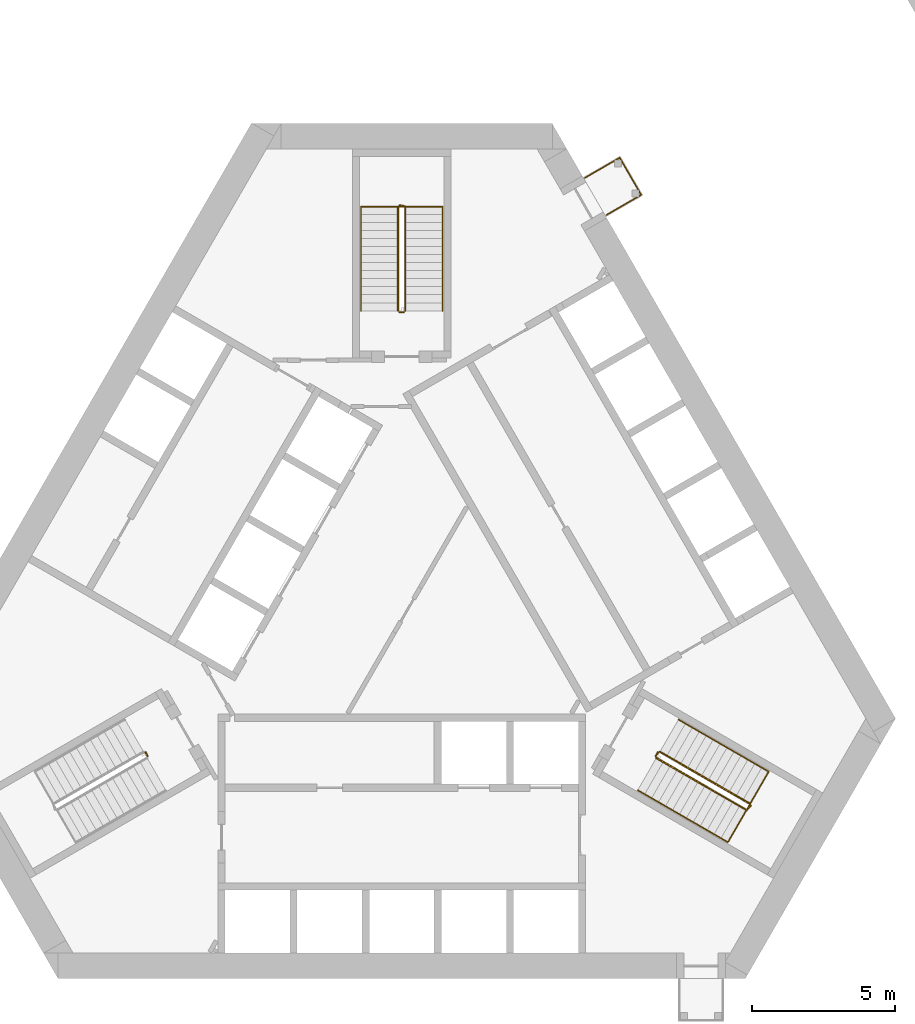
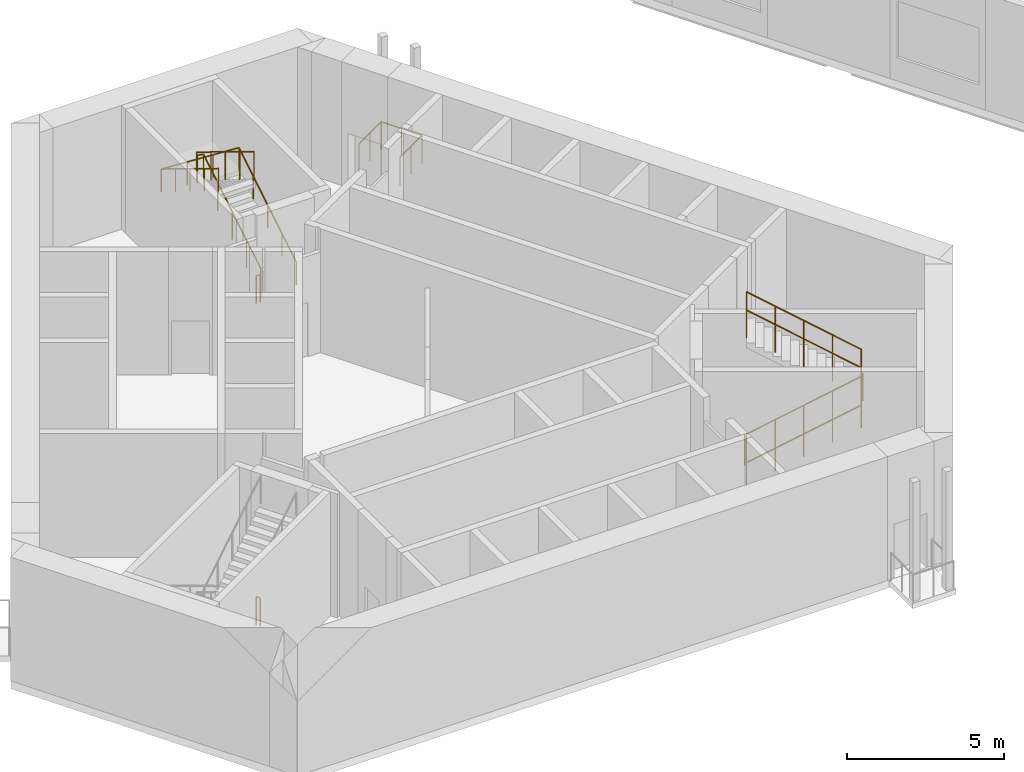
# One storey, part 23 of 28: 10 railings.
"""IFC4 building model written with IfcOpenShell, lengths in metres."""

from ifc_helpers import new_model, si_unit, direction, frame, origin, origin_2d, place, context, subcontext, project, spatial, circle, extrude, material, type_object, element, save


model = new_model("IFC4")

# Units and contexts
model_context = context("Model", 3, precision=1e-05, world=origin(), true_north=direction((0.0, 1.0)))
body_context = subcontext(model_context, "Body", "Model", "MODEL_VIEW")
ifc_project = project(units=[si_unit("LENGTHUNIT", "METRE"), si_unit("AREAUNIT", "SQUARE_METRE"), si_unit("VOLUMEUNIT", "CUBIC_METRE"), si_unit("PLANEANGLEUNIT", "RADIAN"), si_unit("MASSUNIT", "GRAM", prefix="KILO")], contexts=[model_context])

# Site, building, storey
site_placement = place(None, origin())
site = spatial("IfcSite", under=ifc_project, at=site_placement, CompositionType="ELEMENT")
building_placement = place(site_placement, origin())
building = spatial("IfcBuilding", under=site, at=building_placement, Name="Mestral Congress Tower", CompositionType="ELEMENT")
storey_placement = place(building_placement, frame((0.0, 0.0, 11.39990234375)))
storey = spatial("IfcBuildingStorey", under=building, at=storey_placement, Name="L02", CompositionType="ELEMENT", Elevation=11.39990234375)

# Railings
ifc_material_1 = material(Name="Steel balustrade", Category="steel")
railing_type_1 = type_object("IfcRailingType", Name="Podium door landing guard 1100", PredefinedType="GUARDRAIL", material=ifc_material_1)
railing_1_placement = place(storey_placement, frame((7.158935546875, 13.700439453125, 0.0)))
element("IfcRailing", 1, at=railing_1_placement, inside=storey, type_object=railing_type_1, Name="Door landing guard", PredefinedType="GUARDRAIL", context=body_context, shape_type="SweptSolid", body=[
    extrude(circle(Radius=0.02392578125, at=origin_2d()), frame((0.0, 0.0, 1.076171875), z_axis=(0.866034573852, 0.49998411664, 0.0), x_axis=(-0.49998411664, 0.866034573852, 0.0)), (0.0, 0.0, 1.0), 1.39990234375),
    extrude(circle(Radius=0.02392578125, at=origin_2d()), frame((1.21240234375, 0.699951171875, 1.076171875), z_axis=(-0.499990139034, 0.866031096941, 0.0), x_axis=(-0.866031096941, -0.499990139034, 0.0)), (0.0, 0.0, 1.0), 1.5),
    extrude(circle(Radius=0.02392578125, at=origin_2d()), frame((0.46240234375, 1.9990234375, 1.076171875), z_axis=(-0.866034573852, -0.49998411664, 0.0), x_axis=(0.49998411664, -0.866034573852, 0.0)), (0.0, 0.0, 1.0), 1.39990234375),
    extrude(circle(Radius=0.02099609375, at=origin_2d()), origin(), (0.0, 0.0, 1.0), 1.052001953125),
    extrude(circle(Radius=0.02099609375, at=origin_2d()), frame((0.606201171875, 0.35009765625, 0.0)), (0.0, 0.0, 1.0), 1.052001953125),
    extrude(circle(Radius=0.02099609375, at=origin_2d()), frame((1.21240234375, 0.699951171875, 0.0)), (0.0, 0.0, 1.0), 1.052001953125),
    extrude(circle(Radius=0.02099609375, at=origin_2d()), frame((0.83740234375, 1.349609375, 0.0)), (0.0, 0.0, 1.0), 1.052001953125),
    extrude(circle(Radius=0.02099609375, at=origin_2d()), frame((0.46240234375, 1.9990234375, 0.0)), (0.0, 0.0, 1.0), 1.052001953125),
    extrude(circle(Radius=0.02099609375, at=origin_2d()), frame((-0.143798828125, 1.64892578125, 0.0)), (0.0, 0.0, 1.0), 1.052001953125),
    extrude(circle(Radius=0.02099609375, at=origin_2d()), frame((-0.75, 1.299072265625, 0.0)), (0.0, 0.0, 1.0), 1.052001953125),
])
railing_type_2 = type_object("IfcRailingType", Name="Stair guard 1100", PredefinedType="GUARDRAIL", material=ifc_material_1)
railing_2_placement = place(storey_placement, frame((8.90087890625, -5.283203125, 0.171630859375)))
element("IfcRailing", 2, at=railing_2_placement, inside=storey, type_object=railing_type_2, Name="L02 ST1 stair guard 1", PredefinedType="GUARDRAIL", context=body_context, shape_type="SweptSolid", body=[
    extrude(circle(Radius=0.02392578125, at=origin_2d()), frame((0.0, 0.0, 1.076171875), z_axis=(0.738592093898, -0.426440834883, 0.522139764025), x_axis=(0.500012742938, 0.866018046521, 0.0)), (0.0, 0.0, 1.0), 4.26806640625),
    extrude(circle(Radius=0.02392578125, at=origin_2d()), frame((3.15234375, -1.820068359375, 3.3046875), z_axis=(0.695164929852, 0.718850276695, 0.0), x_axis=(-0.718850276695, 0.695164929852, 0.0)), (0.0, 0.0, 1.0), 0.2060546875),
    extrude(circle(Radius=0.02099609375, at=origin_2d()), origin(), (0.0, 0.0, 1.0), 1.052001953125),
    extrude(circle(Radius=0.02099609375, at=origin_2d()), frame((0.7880859375, -0.455078125, 0.55712890625)), (0.0, 0.0, 1.0), 1.052001953125),
    extrude(circle(Radius=0.02099609375, at=origin_2d()), frame((1.576171875, -0.91015625, 1.1142578125)), (0.0, 0.0, 1.0), 1.052001953125),
    extrude(circle(Radius=0.02099609375, at=origin_2d()), frame((2.3642578125, -1.364990234375, 1.67138671875)), (0.0, 0.0, 1.0), 1.052001953125),
    extrude(circle(Radius=0.02099609375, at=origin_2d()), frame((3.15234375, -1.820068359375, 2.228515625)), (0.0, 0.0, 1.0), 1.052001953125),
    extrude(circle(Radius=0.02099609375, at=origin_2d()), frame((3.295654296875, -1.671875, 2.228515625)), (0.0, 0.0, 1.0), 1.052001953125),
])
railing_3_placement = place(storey_placement, frame((12.17822265625, -6.88671875, 2.571533203125)))
element("IfcRailing", 3, at=railing_3_placement, inside=storey, type_object=railing_type_2, Name="L02 ST1 stair guard 2", PredefinedType="GUARDRAIL", context=body_context, shape_type="SweptSolid", body=[
    extrude(circle(Radius=0.02392578125, at=origin_2d()), frame((0.0, 0.0, 1.076171875), z_axis=(-0.738592093898, 0.426440834883, 0.522139764025), x_axis=(-0.500012742938, -0.866018046521, 0.0)), (0.0, 0.0, 1.0), 4.26806640625),
    extrude(circle(Radius=0.02099609375, at=origin_2d()), origin(), (0.0, 0.0, 1.0), 1.052001953125),
    extrude(circle(Radius=0.02099609375, at=origin_2d()), frame((-0.7880859375, 0.455078125, 0.55712890625)), (0.0, 0.0, 1.0), 1.052001953125),
    extrude(circle(Radius=0.02099609375, at=origin_2d()), frame((-1.576171875, 0.91015625, 1.1142578125)), (0.0, 0.0, 1.0), 1.052001953125),
    extrude(circle(Radius=0.02099609375, at=origin_2d()), frame((-2.3642578125, 1.364990234375, 1.67138671875)), (0.0, 0.0, 1.0), 1.052001953125),
    extrude(circle(Radius=0.02099609375, at=origin_2d()), frame((-3.15234375, 1.820068359375, 2.228515625)), (0.0, 0.0, 1.0), 1.052001953125),
])
railing_4_placement = place(storey_placement, frame((8.882568359375, -5.21484375, 0.0)))
element("IfcRailing", 4, at=railing_4_placement, inside=storey, type_object=railing_type_2, Name="L02 ST1 stair guard 3", PredefinedType="GUARDRAIL", context=body_context, shape_type="SweptSolid", body=[
    extrude(circle(Radius=0.02392578125, at=origin_2d()), frame((0.0, 0.0, 1.076171875), z_axis=(0.499816412211, 0.866131372301, 0.0), x_axis=(-0.866131372301, 0.499816412211, 0.0)), (0.0, 0.0, 1.0), 0.14990234375),
    extrude(circle(Radius=0.02099609375, at=origin_2d()), origin(), (0.0, 0.0, 1.0), 1.052001953125),
    extrude(circle(Radius=0.02099609375, at=origin_2d()), frame((0.074951171875, 0.1298828125, 0.0)), (0.0, 0.0, 1.0), 1.052001953125),
])
railing_5_placement = place(storey_placement, frame((0.125, 10.35009765625, 0.171630859375)))
element("IfcRailing", 5, at=railing_5_placement, inside=storey, type_object=railing_type_2, Name="L02 ST2 stair guard 1", PredefinedType="GUARDRAIL", context=body_context, shape_type="SweptSolid", body=[
    extrude(circle(Radius=0.02392578125, at=origin_2d()), frame((0.0, 0.0, 1.076171875), z_axis=(0.0, 0.852850264322, 0.5221555579), x_axis=(-1.0, 0.0, 0.0)), (0.0, 0.0, 1.0), 4.267822265625),
    extrude(circle(Radius=0.02392578125, at=origin_2d()), frame((0.0, 3.639892578125, 3.3046875), z_axis=(-0.970072785993, 0.242814311512, 0.0), x_axis=(-0.242814311512, -0.970072785993, 0.0)), (0.0, 0.0, 1.0), 0.2060546875),
    extrude(circle(Radius=0.02099609375, at=origin_2d()), origin(), (0.0, 0.0, 1.0), 1.052001953125),
    extrude(circle(Radius=0.02099609375, at=origin_2d()), frame((0.0, 0.909912109375, 0.55712890625)), (0.0, 0.0, 1.0), 1.052001953125),
    extrude(circle(Radius=0.02099609375, at=origin_2d()), frame((0.0, 1.81982421875, 1.1142578125)), (0.0, 0.0, 1.0), 1.052001953125),
    extrude(circle(Radius=0.02099609375, at=origin_2d()), frame((0.0, 2.72998046875, 1.67138671875)), (0.0, 0.0, 1.0), 1.052001953125),
    extrude(circle(Radius=0.02099609375, at=origin_2d()), frame((0.0, 3.639892578125, 2.228515625)), (0.0, 0.0, 1.0), 1.052001953125),
    extrude(circle(Radius=0.02099609375, at=origin_2d()), frame((-0.199951171875, 3.68994140625, 2.228515625)), (0.0, 0.0, 1.0), 1.052001953125),
])
railing_6_placement = place(storey_placement, frame((-0.125, 13.989990234375, 2.571533203125)))
element("IfcRailing", 6, at=railing_6_placement, inside=storey, type_object=railing_type_2, Name="L02 ST2 stair guard 2", PredefinedType="GUARDRAIL", context=body_context, shape_type="SweptSolid", body=[
    extrude(circle(Radius=0.02392578125, at=origin_2d()), frame((0.0, 0.0, 1.076171875), z_axis=(0.0, -0.852850264322, 0.5221555579), x_axis=(1.0, 0.0, 0.0)), (0.0, 0.0, 1.0), 4.267822265625),
    extrude(circle(Radius=0.02099609375, at=origin_2d()), origin(), (0.0, 0.0, 1.0), 1.052001953125),
    extrude(circle(Radius=0.02099609375, at=origin_2d()), frame((0.0, -0.909912109375, 0.55712890625)), (0.0, 0.0, 1.0), 1.052001953125),
    extrude(circle(Radius=0.02099609375, at=origin_2d()), frame((0.0, -1.81982421875, 1.1142578125)), (0.0, 0.0, 1.0), 1.052001953125),
    extrude(circle(Radius=0.02099609375, at=origin_2d()), frame((0.0, -2.72998046875, 1.67138671875)), (0.0, 0.0, 1.0), 1.052001953125),
    extrude(circle(Radius=0.02099609375, at=origin_2d()), frame((0.0, -3.639892578125, 2.228515625)), (0.0, 0.0, 1.0), 1.052001953125),
])
railing_7_placement = place(storey_placement, frame((0.074951171875, 10.300048828125, 0.0)))
element("IfcRailing", 7, at=railing_7_placement, inside=storey, type_object=railing_type_2, Name="L02 ST2 stair guard 3", PredefinedType="GUARDRAIL", context=body_context, shape_type="SweptSolid", body=[
    extrude(circle(Radius=0.02392578125, at=origin_2d()), frame((0.0, 0.0, 1.076171875), z_axis=(-1.0, 0.0, 0.0), x_axis=(0.0, -1.0, 0.0)), (0.0, 0.0, 1.0), 0.14990234375),
    extrude(circle(Radius=0.02099609375, at=origin_2d()), origin(), (0.0, 0.0, 1.0), 1.052001953125),
    extrude(circle(Radius=0.02099609375, at=origin_2d()), frame((-0.14990234375, 0.0, 0.0)), (0.0, 0.0, 1.0), 1.052001953125),
])
railing_8_placement = place(storey_placement, frame((-8.95751953125, -5.0849609375, 0.0)))
element("IfcRailing", 8, at=railing_8_placement, inside=storey, type_object=railing_type_2, Name="L02 ST3 stair guard 3", PredefinedType="GUARDRAIL", context=body_context, shape_type="SweptSolid", body=[
    extrude(circle(Radius=0.02392578125, at=origin_2d()), frame((0.0, 0.0, 1.076171875), z_axis=(0.499816412211, -0.866131372301, 0.0), x_axis=(0.866131372301, 0.499816412211, 0.0)), (0.0, 0.0, 1.0), 0.14990234375),
    extrude(circle(Radius=0.02099609375, at=origin_2d()), origin(), (0.0, 0.0, 1.0), 1.052001953125),
    extrude(circle(Radius=0.02099609375, at=origin_2d()), frame((0.074951171875, -0.1298828125, 0.0)), (0.0, 0.0, 1.0), 1.052001953125),
])
ifc_material_2 = material(Name="Steel handrail", Category="steel")
railing_type_3 = type_object("IfcRailingType", Name="Stair handrail 900", PredefinedType="HANDRAIL", material=ifc_material_2)
railing_9_placement = place(storey_placement, frame((8.2509765625, -6.4091796875, 0.171630859375)))
element("IfcRailing", 9, at=railing_9_placement, inside=storey, type_object=railing_type_3, Name="L02 ST1 stair handrail 1", PredefinedType="HANDRAIL", context=body_context, shape_type="SweptSolid", body=[
    extrude(circle(Radius=0.02392578125, at=origin_2d()), frame((0.0, 0.0, 0.8759765625), z_axis=(0.738584112002, -0.426412049482, 0.522174562339), x_axis=(0.499991481599, 0.86603032183, 0.0)), (0.0, 0.0, 1.0), 4.267822265625),
    extrude(circle(Radius=0.02392578125, at=origin_2d()), frame((3.152099609375, -1.81982421875, 3.1044921875), z_axis=(0.4991346079, 0.86444265055, 0.060029551952), x_axis=(-0.866004402611, 0.500036373335, 0.0)), (0.0, 0.0, 1.0), 2.85498046875),
    extrude(circle(Radius=0.02392578125, at=origin_2d()), frame((4.5771484375, 0.648193359375, 3.27587890625), z_axis=(-0.738592093898, 0.426440834883, 0.522139764025), x_axis=(-0.500012742938, -0.866018046521, 0.0)), (0.0, 0.0, 1.0), 4.26806640625),
    extrude(circle(Radius=0.02099609375, at=origin_2d()), origin(), (0.0, 0.0, 1.0), 0.851806640625),
    extrude(circle(Radius=0.02099609375, at=origin_2d()), frame((0.7880859375, -0.455078125, 0.55712890625)), (0.0, 0.0, 1.0), 0.851806640625),
    extrude(circle(Radius=0.02099609375, at=origin_2d()), frame((1.576171875, -0.909912109375, 1.1142578125)), (0.0, 0.0, 1.0), 0.851806640625),
    extrude(circle(Radius=0.02099609375, at=origin_2d()), frame((2.364013671875, -1.36474609375, 1.67138671875)), (0.0, 0.0, 1.0), 0.851806640625),
    extrude(circle(Radius=0.02099609375, at=origin_2d()), frame((3.152099609375, -1.81982421875, 2.228515625)), (0.0, 0.0, 1.0), 0.851806640625),
    extrude(circle(Radius=0.02099609375, at=origin_2d()), frame((3.627197265625, -0.9970703125, 2.28564453125)), (0.0, 0.0, 1.0), 0.851806640625),
    extrude(circle(Radius=0.02099609375, at=origin_2d()), frame((4.10205078125, -0.174560546875, 2.3427734375)), (0.0, 0.0, 1.0), 0.851806640625),
    extrude(circle(Radius=0.02099609375, at=origin_2d()), frame((4.5771484375, 0.648193359375, 2.39990234375)), (0.0, 0.0, 1.0), 0.851806640625),
    extrude(circle(Radius=0.02099609375, at=origin_2d()), frame((3.7890625, 1.103271484375, 2.95703125)), (0.0, 0.0, 1.0), 0.851806640625),
    extrude(circle(Radius=0.02099609375, at=origin_2d()), frame((3.0009765625, 1.55810546875, 3.51416015625)), (0.0, 0.0, 1.0), 0.851806640625),
    extrude(circle(Radius=0.02099609375, at=origin_2d()), frame((2.212890625, 2.01318359375, 4.0712890625)), (0.0, 0.0, 1.0), 0.851806640625),
    extrude(circle(Radius=0.02099609375, at=origin_2d()), frame((1.4248046875, 2.46826171875, 4.62841796875)), (0.0, 0.0, 1.0), 0.851806640625),
])
railing_10_placement = place(storey_placement, frame((1.425048828125, 10.35009765625, 0.171630859375)))
element("IfcRailing", 10, at=railing_10_placement, inside=storey, type_object=railing_type_3, Name="L02 ST2 stair handrail 1", PredefinedType="HANDRAIL", context=body_context, shape_type="SweptSolid", body=[
    extrude(circle(Radius=0.02392578125, at=origin_2d()), frame((0.0, 0.0, 0.8759765625), z_axis=(0.0, 0.852850264322, 0.5221555579), x_axis=(-1.0, 0.0, 0.0)), (0.0, 0.0, 1.0), 4.267822265625),
    extrude(circle(Radius=0.02392578125, at=origin_2d()), frame((0.0, 3.639892578125, 3.1044921875), z_axis=(-0.998196861966, 0.0, 0.060025201054), x_axis=(0.0, -1.0, 0.0)), (0.0, 0.0, 1.0), 2.855224609375),
    extrude(circle(Radius=0.02392578125, at=origin_2d()), frame((-2.85009765625, 3.639892578125, 3.27587890625), z_axis=(0.0, -0.852850264322, 0.5221555579), x_axis=(1.0, 0.0, 0.0)), (0.0, 0.0, 1.0), 4.267822265625),
    extrude(circle(Radius=0.02099609375, at=origin_2d()), origin(), (0.0, 0.0, 1.0), 0.851806640625),
    extrude(circle(Radius=0.02099609375, at=origin_2d()), frame((0.0, 0.909912109375, 0.55712890625)), (0.0, 0.0, 1.0), 0.851806640625),
    extrude(circle(Radius=0.02099609375, at=origin_2d()), frame((0.0, 1.81982421875, 1.1142578125)), (0.0, 0.0, 1.0), 0.851806640625),
    extrude(circle(Radius=0.02099609375, at=origin_2d()), frame((0.0, 2.72998046875, 1.67138671875)), (0.0, 0.0, 1.0), 0.851806640625),
    extrude(circle(Radius=0.02099609375, at=origin_2d()), frame((0.0, 3.639892578125, 2.228515625)), (0.0, 0.0, 1.0), 0.851806640625),
    extrude(circle(Radius=0.02099609375, at=origin_2d()), frame((-0.949951171875, 3.639892578125, 2.28564453125)), (0.0, 0.0, 1.0), 0.851806640625),
    extrude(circle(Radius=0.02099609375, at=origin_2d()), frame((-1.900146484375, 3.639892578125, 2.3427734375)), (0.0, 0.0, 1.0), 0.851806640625),
    extrude(circle(Radius=0.02099609375, at=origin_2d()), frame((-2.85009765625, 3.639892578125, 2.39990234375)), (0.0, 0.0, 1.0), 0.851806640625),
    extrude(circle(Radius=0.02099609375, at=origin_2d()), frame((-2.85009765625, 2.72998046875, 2.95703125)), (0.0, 0.0, 1.0), 0.851806640625),
    extrude(circle(Radius=0.02099609375, at=origin_2d()), frame((-2.85009765625, 1.81982421875, 3.51416015625)), (0.0, 0.0, 1.0), 0.851806640625),
    extrude(circle(Radius=0.02099609375, at=origin_2d()), frame((-2.85009765625, 0.909912109375, 4.0712890625)), (0.0, 0.0, 1.0), 0.851806640625),
    extrude(circle(Radius=0.02099609375, at=origin_2d()), frame((-2.85009765625, 0.0, 4.62841796875)), (0.0, 0.0, 1.0), 0.851806640625),
])

save(model, "model.ifc")
